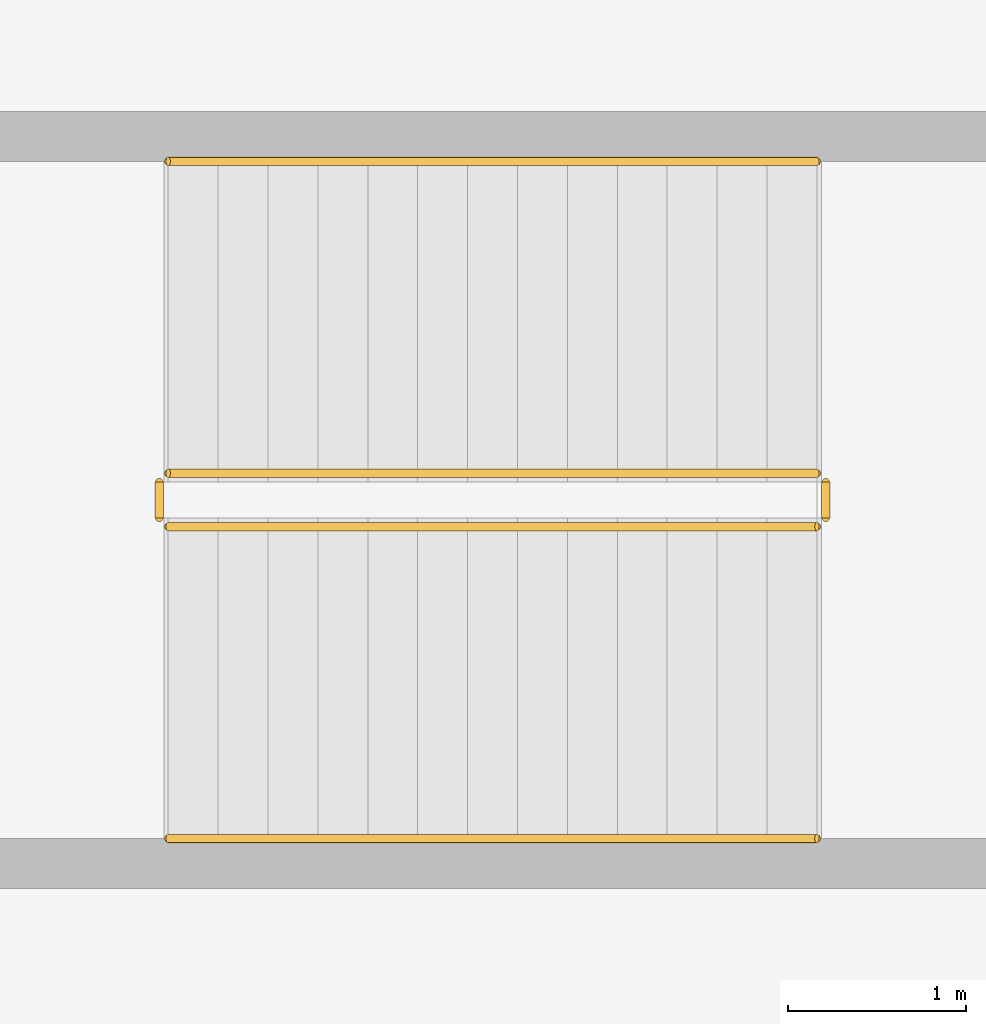
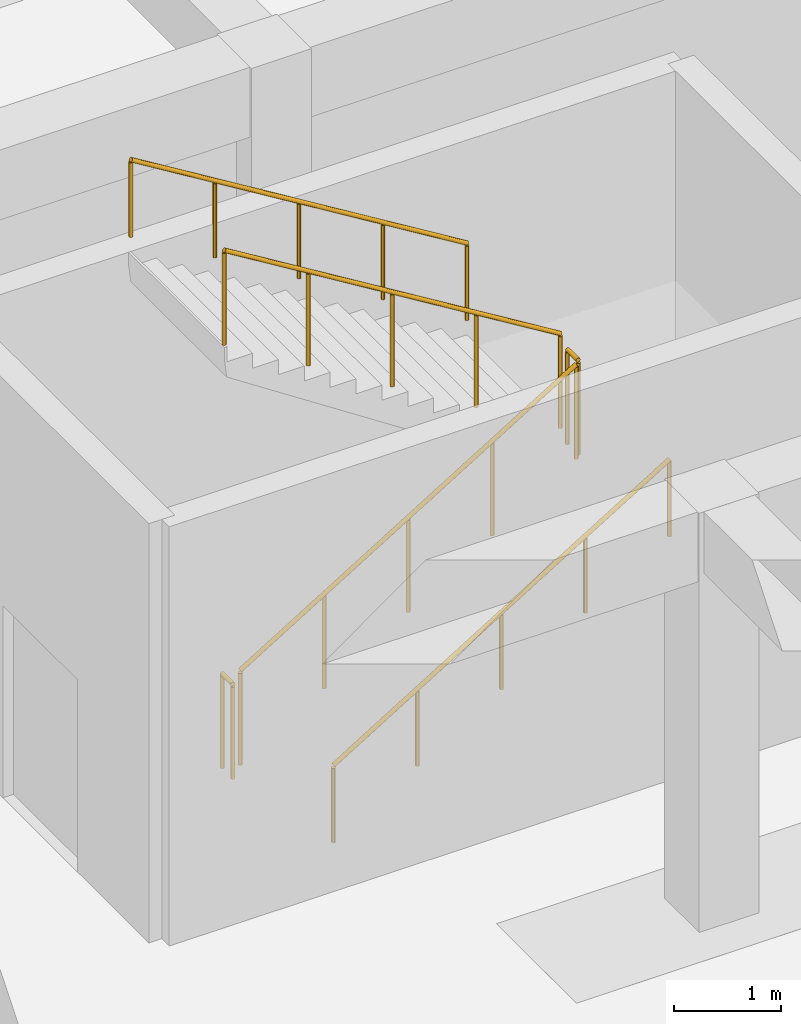
# One storey, part 48 of 51: 6 railings.
"""IFC4 building model written with IfcOpenShell, lengths in metres."""

from ifc_helpers import new_model, si_unit, direction, frame, origin, origin_2d, place, context, subcontext, project, spatial, circle, extrude, material, type_object, element, save


model = new_model("IFC4")

# Units and contexts
model_context = context("Model", 3, precision=1e-05, world=origin(), true_north=direction((0.0, 1.0)))
body_context = subcontext(model_context, "Body", "Model", "MODEL_VIEW")
ifc_project = project(units=[si_unit("LENGTHUNIT", "METRE"), si_unit("AREAUNIT", "SQUARE_METRE"), si_unit("VOLUMEUNIT", "CUBIC_METRE"), si_unit("PLANEANGLEUNIT", "RADIAN"), si_unit("MASSUNIT", "GRAM", prefix="KILO")], contexts=[model_context])

# Site, building, storey
site_placement = place(None, origin())
site = spatial("IfcSite", under=ifc_project, at=site_placement, CompositionType="ELEMENT")
building_placement = place(site_placement, origin())
building = spatial("IfcBuilding", under=site, at=building_placement, Name="Varncliffe General Hospital", CompositionType="ELEMENT")
storey_placement = place(building_placement, frame((0.0, 0.0, -4.800048828125)))
storey = spatial("IfcBuildingStorey", under=building, at=storey_placement, Name="B1", CompositionType="ELEMENT", Elevation=-4.800048828125)

# Railings
ifc_material = material(Name="Powder-coated hospital steel guardrail and handrail", Category="steel")
railing_type_1 = type_object("IfcRailingType", Name="Stair and Ramp Handrail HR46", PredefinedType="HANDRAIL", material=ifc_material)
railing_1_placement = place(storey_placement, frame((165.199951171875, 59.85009765625, 0.346923828125)))
element("IfcRailing", 1, at=railing_1_placement, inside=storey, type_object=railing_type_1, Name="B1 ST07 stair handrail 1", PredefinedType="HANDRAIL", context=body_context, shape_type="SweptSolid", body=[
    extrude(circle(Radius=0.02392578125, at=origin_2d()), frame((0.0, 0.0, 0.8759765625), z_axis=(0.852865859571, 0.0, 0.52213008492), x_axis=(0.0, 1.0, 0.0)), (0.0, 0.0, 1.0), 4.26806640625),
    extrude(circle(Radius=0.02099609375, at=origin_2d()), origin(), (0.0, 0.0, 1.0), 0.851806640625),
    extrude(circle(Radius=0.02099609375, at=origin_2d()), frame((0.91015625, 0.0, 0.55712890625)), (0.0, 0.0, 1.0), 0.851806640625),
    extrude(circle(Radius=0.02099609375, at=origin_2d()), frame((1.820068359375, 0.0, 1.1142578125)), (0.0, 0.0, 1.0), 0.851806640625),
    extrude(circle(Radius=0.02099609375, at=origin_2d()), frame((2.72998046875, 0.0, 1.67138671875)), (0.0, 0.0, 1.0), 0.851806640625),
    extrude(circle(Radius=0.02099609375, at=origin_2d()), frame((3.64013671875, 0.0, 2.228515625)), (0.0, 0.0, 1.0), 0.851806640625),
])
railing_2_placement = place(storey_placement, frame((168.840087890625, 63.64990234375, 2.746826171875)))
element("IfcRailing", 2, at=railing_2_placement, inside=storey, type_object=railing_type_1, Name="B1 ST07 stair handrail 2", PredefinedType="HANDRAIL", context=body_context, shape_type="SweptSolid", body=[
    extrude(circle(Radius=0.02392578125, at=origin_2d()), frame((0.0, 0.0, 0.8759765625), z_axis=(-0.852840387347, 0.0, 0.522171689878), x_axis=(0.0, -1.0, 0.0)), (0.0, 0.0, 1.0), 4.268310546875),
    extrude(circle(Radius=0.02099609375, at=origin_2d()), origin(), (0.0, 0.0, 1.0), 0.851806640625),
    extrude(circle(Radius=0.02099609375, at=origin_2d()), frame((-0.91015625, 0.0, 0.55712890625)), (0.0, 0.0, 1.0), 0.851806640625),
    extrude(circle(Radius=0.02099609375, at=origin_2d()), frame((-1.820068359375, 0.0, 1.1142578125)), (0.0, 0.0, 1.0), 0.851806640625),
    extrude(circle(Radius=0.02099609375, at=origin_2d()), frame((-2.72998046875, 0.0, 1.671630859375)), (0.0, 0.0, 1.0), 0.851806640625),
    extrude(circle(Radius=0.02099609375, at=origin_2d()), frame((-3.64013671875, 0.0, 2.228759765625)), (0.0, 0.0, 1.0), 0.851806640625),
])
railing_type_2 = type_object("IfcRailingType", Name="Stairwell Guardrail SG49", PredefinedType="GUARDRAIL", material=ifc_material)
railing_3_placement = place(storey_placement, frame((165.199951171875, 61.60009765625, 0.17138671875)))
element("IfcRailing", 3, at=railing_3_placement, inside=storey, type_object=railing_type_2, Name="B1 ST07 stair guard 1", PredefinedType="GUARDRAIL", context=body_context, shape_type="SweptSolid", body=[
    extrude(circle(Radius=0.02392578125, at=origin_2d()), frame((0.0, 0.0, 1.076171875), z_axis=(0.852840387347, 0.0, 0.522171689878), x_axis=(0.0, 1.0, 0.0)), (0.0, 0.0, 1.0), 4.268310546875),
    extrude(circle(Radius=0.02099609375, at=origin_2d()), origin(), (0.0, 0.0, 1.0), 1.052001953125),
    extrude(circle(Radius=0.02099609375, at=origin_2d()), frame((0.91015625, 0.0, 0.55712890625)), (0.0, 0.0, 1.0), 1.052001953125),
    extrude(circle(Radius=0.02099609375, at=origin_2d()), frame((1.820068359375, 0.0, 1.1142578125)), (0.0, 0.0, 1.0), 1.052001953125),
    extrude(circle(Radius=0.02099609375, at=origin_2d()), frame((2.72998046875, 0.0, 1.671630859375)), (0.0, 0.0, 1.0), 1.052001953125),
    extrude(circle(Radius=0.02099609375, at=origin_2d()), frame((3.64013671875, 0.0, 2.228759765625)), (0.0, 0.0, 1.0), 1.052001953125),
])
railing_4_placement = place(storey_placement, frame((168.889892578125, 61.64990234375, 2.400146484375)))
element("IfcRailing", 4, at=railing_4_placement, inside=storey, type_object=railing_type_2, Name="B1 ST07 stair guard 2", PredefinedType="GUARDRAIL", context=body_context, shape_type="SweptSolid", body=[
    extrude(circle(Radius=0.02392578125, at=origin_2d()), frame((0.0, 0.0, 1.076171875), z_axis=(0.0, 1.0, 0.0), x_axis=(-1.0, 0.0, 0.0)), (0.0, 0.0, 1.0), 0.2001953125),
    extrude(circle(Radius=0.02099609375, at=origin_2d()), origin(), (0.0, 0.0, 1.0), 1.052001953125),
    extrude(circle(Radius=0.02099609375, at=origin_2d()), frame((0.0, 0.2001953125, 0.0)), (0.0, 0.0, 1.0), 1.052001953125),
])
railing_5_placement = place(storey_placement, frame((168.840087890625, 61.89990234375, 2.571533203125)))
element("IfcRailing", 5, at=railing_5_placement, inside=storey, type_object=railing_type_2, Name="B1 ST07 stair guard 3", PredefinedType="GUARDRAIL", context=body_context, shape_type="SweptSolid", body=[
    extrude(circle(Radius=0.02392578125, at=origin_2d()), frame((0.0, 0.0, 1.076171875), z_axis=(-0.852865859571, 0.0, 0.52213008492), x_axis=(0.0, -1.0, 0.0)), (0.0, 0.0, 1.0), 4.26806640625),
    extrude(circle(Radius=0.02099609375, at=origin_2d()), origin(), (0.0, 0.0, 1.0), 1.052001953125),
    extrude(circle(Radius=0.02099609375, at=origin_2d()), frame((-0.91015625, 0.0, 0.55712890625)), (0.0, 0.0, 1.0), 1.052001953125),
    extrude(circle(Radius=0.02099609375, at=origin_2d()), frame((-1.820068359375, 0.0, 1.1142578125)), (0.0, 0.0, 1.0), 1.052001953125),
    extrude(circle(Radius=0.02099609375, at=origin_2d()), frame((-2.72998046875, 0.0, 1.67138671875)), (0.0, 0.0, 1.0), 1.052001953125),
    extrude(circle(Radius=0.02099609375, at=origin_2d()), frame((-3.64013671875, 0.0, 2.228515625)), (0.0, 0.0, 1.0), 1.052001953125),
])
railing_6_placement = place(storey_placement, frame((165.14990234375, 61.64990234375, 0.0)))
element("IfcRailing", 6, at=railing_6_placement, inside=storey, type_object=railing_type_2, Name="B1 ST07 stair guard 4", PredefinedType="GUARDRAIL", context=body_context, shape_type="SweptSolid", body=[
    extrude(circle(Radius=0.02392578125, at=origin_2d()), frame((0.0, 0.0, 1.076171875), z_axis=(0.0, 1.0, 0.0), x_axis=(-1.0, 0.0, 0.0)), (0.0, 0.0, 1.0), 0.2001953125),
    extrude(circle(Radius=0.02099609375, at=origin_2d()), origin(), (0.0, 0.0, 1.0), 1.052001953125),
    extrude(circle(Radius=0.02099609375, at=origin_2d()), frame((0.0, 0.2001953125, 0.0)), (0.0, 0.0, 1.0), 1.052001953125),
])

save(model, "model.ifc")
